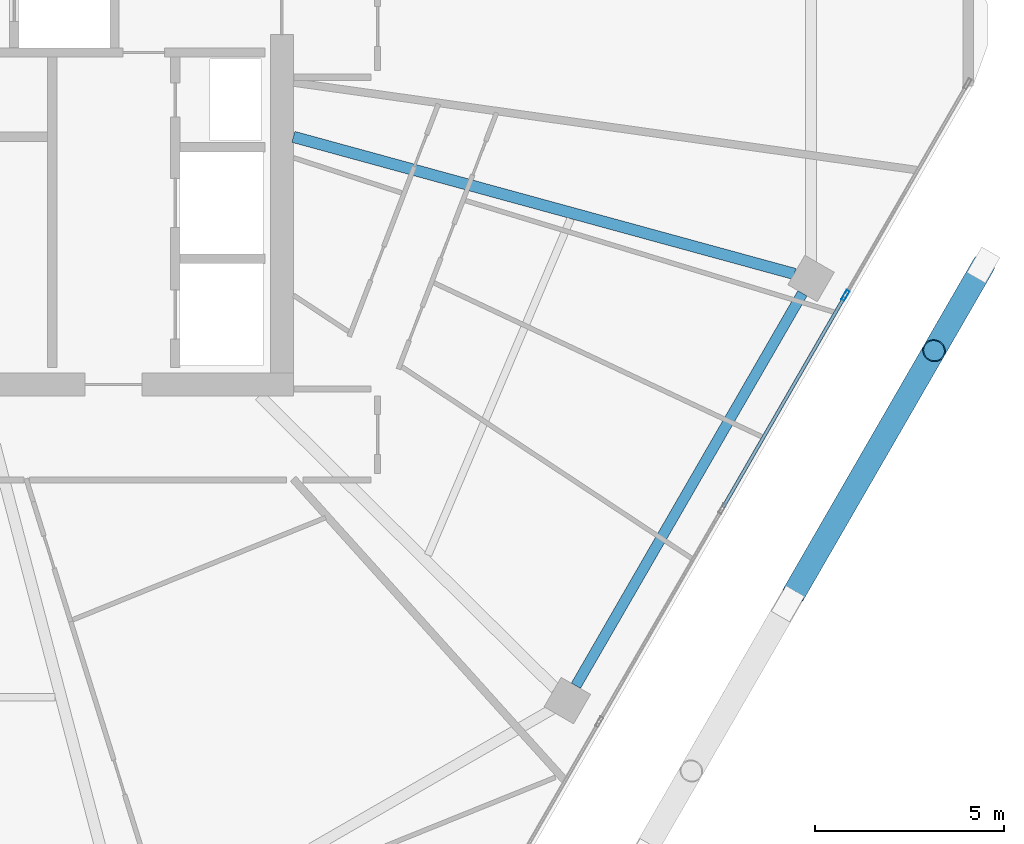
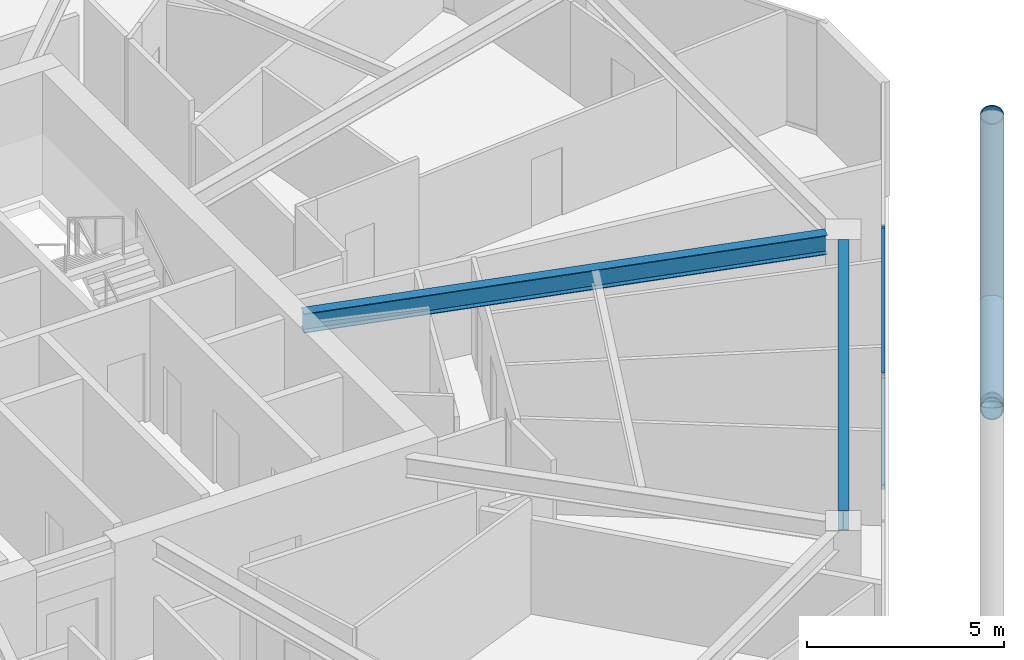
# One storey, part 10 of 26: 5 members, 2 beams, 1 element without a shape of its own.
"""IFC4 building model written with IfcOpenShell, lengths in metres."""

from ifc_helpers import new_model, si_unit, direction, frame, origin, origin_2d, place, context, subcontext, project, spatial, hollow_rectangle, hollow_circle, i_section, extrude, material, material_profile, profile_set, type_object, element, aggregate, save


model = new_model("IFC4")

# Units and contexts
model_context = context("Model", 3, precision=1e-05, world=origin(), true_north=direction((0.0, 1.0)))
body_context = subcontext(model_context, "Body", "Model", "MODEL_VIEW")
ifc_project = project(units=[si_unit("LENGTHUNIT", "METRE"), si_unit("AREAUNIT", "SQUARE_METRE"), si_unit("VOLUMEUNIT", "CUBIC_METRE"), si_unit("PLANEANGLEUNIT", "RADIAN"), si_unit("MASSUNIT", "GRAM", prefix="KILO")], contexts=[model_context])

# Site, building, storey
site_placement = place(None, origin())
site = spatial("IfcSite", under=ifc_project, at=site_placement, CompositionType="ELEMENT")
building_placement = place(site_placement, origin())
building = spatial("IfcBuilding", under=site, at=building_placement, Name="Zuhravey Tower", CompositionType="ELEMENT")
storey_placement = place(building_placement, frame((0.0, 0.0, 231.199951171875)))
storey = spatial("IfcBuildingStorey", under=building, at=storey_placement, Name="L58", CompositionType="ELEMENT", Elevation=231.199951171875)

# Curtain wall, members
ifc_material_1 = material(Name="Thermally broken anodised aluminium", Category="aluminium")
curtain_wall_type = type_object("IfcCurtainWallType", Name="Zone 3-4 High-Rise Curtain Wall CW4", PredefinedType="NOTDEFINED", material=ifc_material_1)
curtain_wall_placement = place(storey_placement, origin())
curtain_wall = element("IfcCurtainWall", 1, at=curtain_wall_placement, inside=storey, type_object=curtain_wall_type, Name="L58 CW4 CW-L58-F6-1", PredefinedType="NOTDEFINED")
ifc_material_2 = material(Name="Anodised aluminium", Category="aluminium")
ifc_material_profile_1 = material_profile(ifc_material_2, hollow_rectangle(XDim=0.090087890625, YDim=0.284912109375, WallThickness=0.0048828125, at=origin_2d()), Name="ALU-RHS-90x285x5")
ifc_profile_set_1 = profile_set([ifc_material_profile_1], Name="Anodised aluminium")
member_type_1 = type_object("IfcMemberType", Name="Curtain-Wall Mullion 90x180", PredefinedType="MULLION", material=ifc_profile_set_1)
member_1_placement = place(storey_placement, frame((61.391845703125, 24.852783203125, 0.0), z_axis=(0.0, 0.0, 1.0), x_axis=(0.866024851021, -0.500000957414, 0.0)))
member_1 = element("IfcMember", 2, at=member_1_placement, type_object=member_type_1, Name="CW4 mullion 2", PredefinedType="MULLION", context=body_context, shape_type="SweptSolid", body=[
    extrude(hollow_rectangle(XDim=0.090087890625, YDim=0.284912109375, WallThickness=0.0048828125, at=origin_2d()), origin(), (0.0, 0.0, 1.0), 3.550048828125),
])
ifc_material_profile_2 = material_profile(ifc_material_2, hollow_rectangle(XDim=0.090087890625, YDim=0.14990234375, WallThickness=0.0048828125, at=origin_2d()), Name="ALU-RHS-90x150x5")
ifc_profile_set_2 = profile_set([ifc_material_profile_2], Name="Anodised aluminium")
member_type_2 = type_object("IfcMemberType", Name="Curtain-Wall Transom 90x150", PredefinedType="USERDEFINED", material=ifc_profile_set_2)
member_2_placement = place(storey_placement, frame((61.369384765625, 24.81396484375, 0.045166015625), z_axis=(-0.499998017366, -0.866026548456, 0.0), x_axis=(0.866026548456, -0.499998017366, 0.0)))
member_2 = element("IfcMember", 3, at=member_2_placement, type_object=member_type_2, Name="CW4 transom 2.1", ObjectType="TRANSOM", PredefinedType="USERDEFINED", context=body_context, shape_type="SweptSolid", body=[
    extrude(hollow_rectangle(XDim=0.090087890625, YDim=0.14990234375, WallThickness=0.0048828125, at=origin_2d()), origin(), (0.0, 0.0, 1.0), 6.41650390625),
])
member_3_placement = place(storey_placement, frame((61.369384765625, 24.81396484375, 3.505126953125), z_axis=(-0.499998017366, -0.866026548456, 0.0), x_axis=(0.866026548456, -0.499998017366, 0.0)))
member_3 = element("IfcMember", 4, at=member_3_placement, type_object=member_type_2, Name="CW4 transom 2.2", ObjectType="TRANSOM", PredefinedType="USERDEFINED", context=body_context, shape_type="SweptSolid", body=[
    extrude(hollow_rectangle(XDim=0.090087890625, YDim=0.14990234375, WallThickness=0.0048828125, at=origin_2d()), origin(), (0.0, 0.0, 1.0), 6.41650390625),
])
aggregate(curtain_wall, [member_1, member_2, member_3])

# Members
ifc_material_3 = material(Name="Steel SM355", Category="steel")
ifc_material_profile_3 = material_profile(ifc_material_3, hollow_circle(Radius=0.3046875, WallThickness=0.028076171875, at=origin_2d()), Name="CHS-609.6x28")
ifc_profile_set_3 = profile_set([ifc_material_profile_3], Name="Steel SM355")
member_type_3 = type_object("IfcMemberType", Name="Exoskeleton Zone 3 Diagrid CHS610x28", PredefinedType="BRACE", material=ifc_profile_set_3)
member_4_placement = place(storey_placement, frame((65.040283203125, 25.652099609375, -0.446044921875), z_axis=(-0.163025919799, -0.282358574176, 0.945355057671), x_axis=(0.866017274468, -0.500014080125, 0.0)))
element("IfcMember", 5, at=member_4_placement, inside=storey, type_object=member_type_3, Name="L58 Face 6 Diagrid Brace 4", PredefinedType="BRACE", context=body_context, shape_type="SweptSolid", body=[
    extrude(hollow_circle(Radius=0.3046875, WallThickness=0.028076171875, at=origin_2d()), origin(), (0.0, 0.0, 1.0), 8.00146484375),
])
member_5_placement = place(storey_placement, frame((65.024169921875, 25.624267578125, -0.449951171875), z_axis=(-0.46931500649, -0.812854505639, 0.344979676714), x_axis=(0.866019296191, -0.500010578514, 0.0)))
element("IfcMember", 6, at=member_5_placement, inside=storey, type_object=member_type_3, Name="L58 Face 6 Split Diagrid Brace 3A", PredefinedType="BRACE", context=body_context, shape_type="SweptSolid", body=[
    extrude(hollow_circle(Radius=0.3046875, WallThickness=0.028076171875, at=origin_2d()), origin(), (0.0, 0.0, 1.0), 10.679931640625),
])

# Beams
ifc_material_profile_4 = material_profile(ifc_material_3, i_section(OverallWidth=0.280029296875, OverallDepth=0.6201171875, WebThickness=0.011962890625, FlangeThickness=0.02001953125, at=origin_2d()), Name="H-620x280x12x20")
ifc_profile_set_4 = profile_set([ifc_material_profile_4], Name="Steel SM355")
beam_type_1 = type_object("IfcBeamType", Name="Perimeter Ring Beam H620x280", PredefinedType="BEAM", material=ifc_profile_set_4)
beam_1_placement = place(storey_placement, frame((54.27001953125, 14.53759765625, 3.239990234375), z_axis=(0.500017744717, 0.866015158625, 0.0), x_axis=(-0.866015158625, 0.500017744717, 0.0)))
element("IfcBeam", 7, at=beam_1_placement, inside=storey, type_object=beam_type_1, Name="L58 PB3 BM-L58-PB-11", PredefinedType="BEAM", context=body_context, shape_type="SweptSolid", body=[
    extrude(i_section(OverallWidth=0.280029296875, OverallDepth=0.6201171875, WebThickness=0.011962890625, FlangeThickness=0.02001953125, at=origin_2d()), origin(), (0.0, 0.0, 1.0), 11.9755859375),
])
ifc_material_profile_5 = material_profile(ifc_material_3, i_section(OverallWidth=0.300048828125, OverallDepth=0.60009765625, WebThickness=0.011962890625, FlangeThickness=0.02001953125, at=origin_2d()), Name="H-600x300x12x20")
ifc_profile_set_5 = profile_set([ifc_material_profile_5], Name="Steel SM355")
beam_type_2 = type_object("IfcBeamType", Name="Radial Primary Girder H600x300", PredefinedType="BEAM", material=ifc_profile_set_5)
beam_2_placement = place(storey_placement, frame((46.802978515625, 29.04443359375, 3.25), z_axis=(0.964548913045, -0.26390413855, 0.0), x_axis=(0.26390413855, 0.964548913045, 0.0)))
element("IfcBeam", 8, at=beam_2_placement, inside=storey, type_object=beam_type_2, Name="L58 RG3 BM-L58-RAD-12", PredefinedType="BEAM", context=body_context, shape_type="SweptSolid", body=[
    extrude(i_section(OverallWidth=0.300048828125, OverallDepth=0.60009765625, WebThickness=0.011962890625, FlangeThickness=0.02001953125, at=origin_2d()), origin(), (0.0, 0.0, 1.0), 13.7314453125),
])

save(model, "model.ifc")
